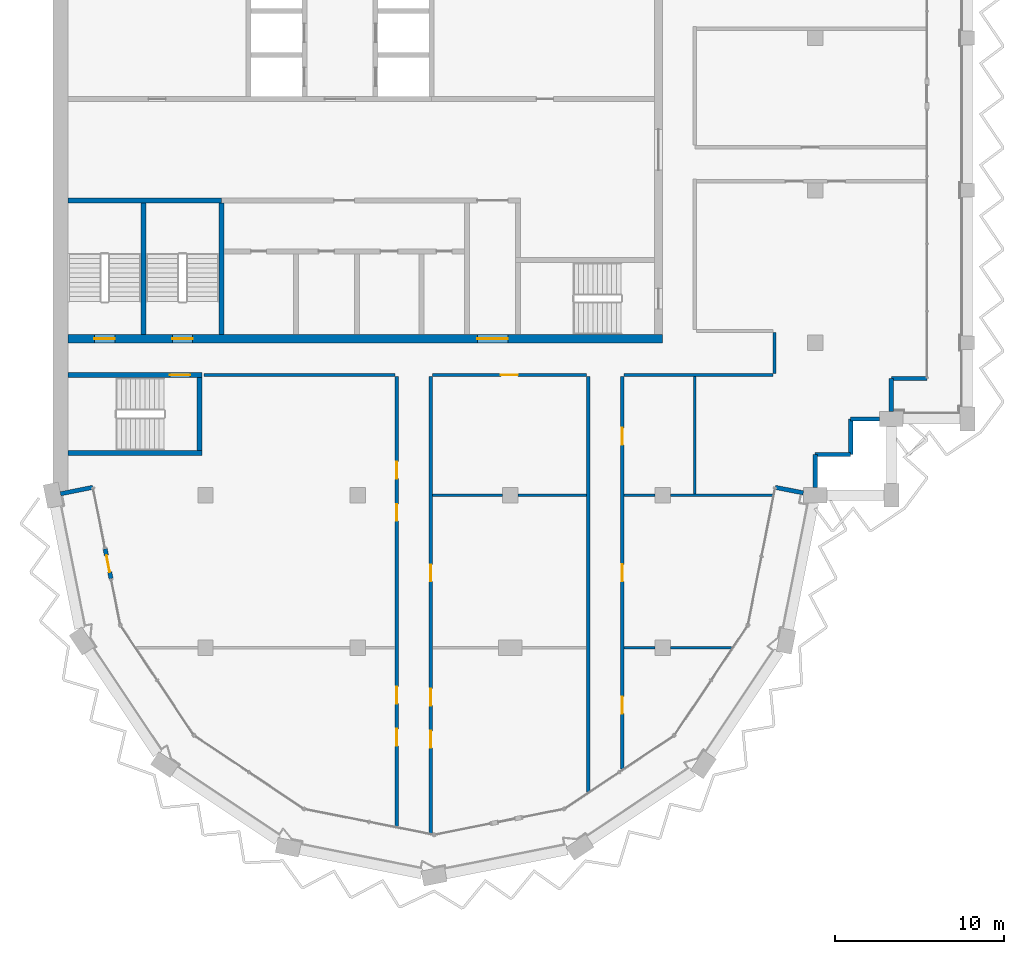
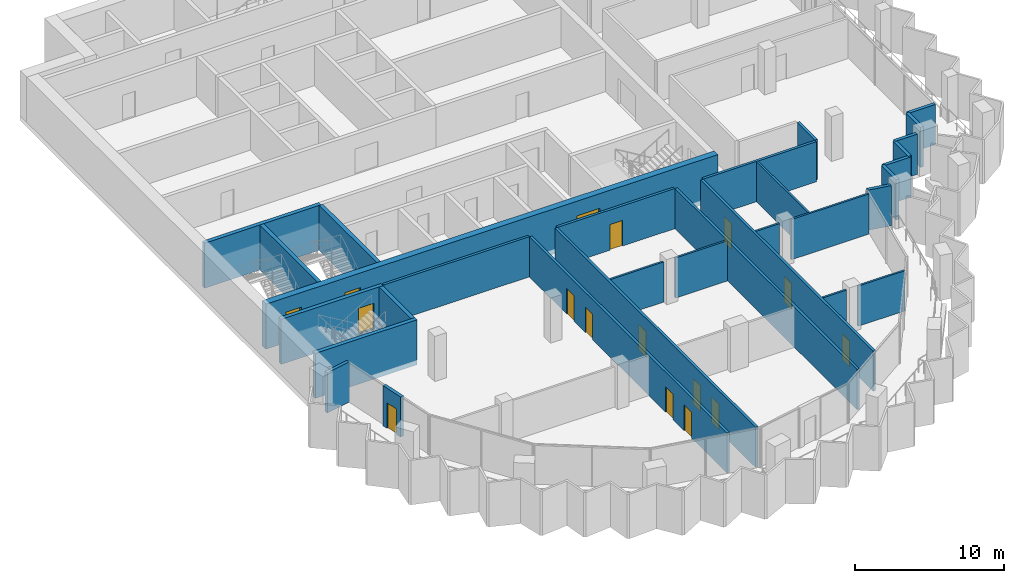
# One storey, part 7 of 14: 31 walls, 16 doors, 16 openings.
"""IFC4 building model written with IfcOpenShell, lengths in metres."""

from ifc_helpers import new_model, si_unit, direction, frame, frame_2d, origin, place, context, subcontext, project, spatial, rectangle, extrude, material, layer, layer_set, type_object, element, fill, save


model = new_model("IFC4")

# Units and contexts
model_context = context("Model", 3, precision=1e-05, world=origin(), true_north=direction((0.0, 1.0)))
body_context = subcontext(model_context, "Body", "Model", "MODEL_VIEW")
ifc_project = project(units=[si_unit("LENGTHUNIT", "METRE"), si_unit("AREAUNIT", "SQUARE_METRE"), si_unit("VOLUMEUNIT", "CUBIC_METRE"), si_unit("PLANEANGLEUNIT", "RADIAN"), si_unit("MASSUNIT", "GRAM", prefix="KILO")], contexts=[model_context])

# Site, building, storey
site_placement = place(None, origin())
site = spatial("IfcSite", under=ifc_project, at=site_placement, CompositionType="ELEMENT")
building_placement = place(site_placement, origin())
building = spatial("IfcBuilding", under=site, at=building_placement, Name="Hunhe Ridgeline Campus", CompositionType="ELEMENT")
storey_placement = place(building_placement, frame((0.0, 0.0, 288.199951171875)))
storey = spatial("IfcBuildingStorey", under=building, at=storey_placement, Name="L74", CompositionType="ELEMENT", Elevation=288.199951171875)

# Wall, openings, doors
ifc_material_1 = material(Name="Concrete C50", Category="concrete")
ifc_layer_1 = layer(ifc_material_1, 0.5)
ifc_layer_set_1 = layer_set([ifc_layer_1], Name="Core wall 500 reinforced concrete C50")
wall_type_1 = type_object("IfcWallType", Name="Core wall 500 reinforced concrete C50", PredefinedType="SOLIDWALL", material=ifc_layer_set_1)
wall_1_placement = place(storey_placement, frame((0.89990234375, 63.25, -0.39990234375), z_axis=(0.0, 0.0, 1.0), x_axis=(1.0, 0.0, 0.0)))
wall_1 = element("IfcWall", 1, at=wall_1_placement, inside=storey, type_object=wall_type_1, Name="L74 core wall 3", PredefinedType="SOLIDWALL", context=body_context, shape_type="SweptSolid", body=[
    extrude(rectangle(XDim=35.10009765625, YDim=0.5, at=frame_2d((17.550048828125, 0.0))), origin(), (0.0, 0.0, 1.0), 3.699951171875),
])
opening_1_placement = place(wall_1_placement, frame((24.14990234375, 0.0, 0.39990234375)))
opening_1 = element("IfcOpeningElement", 2, at=opening_1_placement, cuts=wall_1, Name="Opening CD6", PredefinedType="OPENING", context=body_context, shape_type="SweptSolid", body=[
    extrude(rectangle(XDim=1.800048828125, YDim=2.10009765625, at=frame_2d((0.89990234375, 1.050048828125))), frame((0.0, 0.25, 0.0), z_axis=(0.0, -1.0, 0.0), x_axis=(1.0, 0.0, 0.0)), (0.0, 0.0, 1.0), 0.5),
])
opening_2_placement = place(wall_1_placement, frame((1.550048828125, 0.0, 0.39990234375)))
opening_2 = element("IfcOpeningElement", 3, at=opening_2_placement, cuts=wall_1, Name="Opening CD13", PredefinedType="OPENING", context=body_context, shape_type="SweptSolid", body=[
    extrude(rectangle(XDim=1.199951171875, YDim=2.10009765625, at=frame_2d((0.60009765625, 1.050048828125))), frame((0.0, 0.25, 0.0), z_axis=(0.0, -1.0, 0.0), x_axis=(1.0, 0.0, 0.0)), (0.0, 0.0, 1.0), 0.5),
])
opening_3_placement = place(wall_1_placement, frame((6.14990234375, 0.0, 0.39990234375)))
opening_3 = element("IfcOpeningElement", 4, at=opening_3_placement, cuts=wall_1, Name="Opening CD14", PredefinedType="OPENING", context=body_context, shape_type="SweptSolid", body=[
    extrude(rectangle(XDim=1.199951171875, YDim=2.10009765625, at=frame_2d((0.60009765625, 1.050048828125))), frame((0.0, 0.25, 0.0), z_axis=(0.0, -1.0, 0.0), x_axis=(1.0, 0.0, 0.0)), (0.0, 0.0, 1.0), 0.5),
])
ifc_material_2 = material(Name="Anodised aluminium and glass", Category="aluminium")
door_type_1 = type_object("IfcDoorType", Name="Glazed double door 1800x2100", OperationType="DOUBLE_DOOR_SINGLE_SWING", PredefinedType="DOOR", material=ifc_material_2)
door_1_placement = place(opening_1_placement, frame((1.800048828125, 0.0, 0.0), z_axis=(0.0, 0.0, 1.0), x_axis=(-1.0, 0.0, 0.0)))
door_1 = element("IfcDoor", 5, at=door_1_placement, inside=storey, type_object=door_type_1, Name="L74 door VEST-FLOOR", OperationType="DOUBLE_DOOR_SINGLE_SWING", OverallHeight=2.10009765625, OverallWidth=1.800048828125, PredefinedType="DOOR", context=body_context, shape_type="SweptSolid", body=[
    extrude(rectangle(XDim=1.800048828125, YDim=2.10009765625, at=frame_2d((0.89990234375, 1.050048828125))), frame((0.0, 0.02490234375, 0.0), z_axis=(0.0, -1.0, 0.0), x_axis=(1.0, 0.0, 0.0)), (0.0, 0.0, 1.0), 0.050048828125),
])
fill(opening_1, door_1)
ifc_material_3 = material(Name="Hollow metal fire door leaf")
door_type_2 = type_object("IfcDoorType", Name="Stair door 1200x2100 FD60", OperationType="SINGLE_SWING_LEFT", PredefinedType="DOOR", material=ifc_material_3)
door_2_placement = place(opening_2_placement, frame((1.199951171875, 0.0, 0.0), z_axis=(0.0, 0.0, 1.0), x_axis=(-1.0, 0.0, 0.0)))
door_2 = element("IfcDoor", 6, at=door_2_placement, inside=storey, type_object=door_type_2, Name="L74 door S3", OperationType="SINGLE_SWING_LEFT", OverallHeight=2.10009765625, OverallWidth=1.199951171875, PredefinedType="DOOR", context=body_context, shape_type="SweptSolid", body=[
    extrude(rectangle(XDim=1.199951171875, YDim=2.10009765625, at=frame_2d((0.60009765625, 1.050048828125))), frame((0.0, 0.02490234375, 0.0), z_axis=(0.0, -1.0, 0.0), x_axis=(1.0, 0.0, 0.0)), (0.0, 0.0, 1.0), 0.050048828125),
])
fill(opening_2, door_2)
door_3_placement = place(opening_3_placement, frame((1.199951171875, 0.0, 0.0), z_axis=(0.0, 0.0, 1.0), x_axis=(-1.0, 0.0, 0.0)))
door_3 = element("IfcDoor", 7, at=door_3_placement, inside=storey, type_object=door_type_2, Name="L74 door S4", OperationType="SINGLE_SWING_RIGHT", OverallHeight=2.10009765625, OverallWidth=1.199951171875, PredefinedType="DOOR", context=body_context, shape_type="SweptSolid", body=[
    extrude(rectangle(XDim=1.199951171875, YDim=2.10009765625, at=frame_2d((0.60009765625, 1.050048828125))), frame((0.0, 0.02490234375, 0.0), z_axis=(0.0, -1.0, 0.0), x_axis=(1.0, 0.0, 0.0)), (0.0, 0.0, 1.0), 0.050048828125),
])
fill(opening_3, door_3)

# Walls
ifc_material_4 = material(Name="Concrete C30", Category="concrete")
ifc_layer_2 = layer(ifc_material_4, 0.25)
ifc_layer_set_2 = layer_set([ifc_layer_2], Name="Corner return wall 250 Concrete C30")
wall_type_2 = type_object("IfcWallType", Name="Corner return wall 250 Concrete C30", PredefinedType="SOLIDWALL", material=ifc_layer_set_2)
wall_2_placement = place(storey_placement, frame((0.441162109375, 54.088623046875, 0.0), z_axis=(0.0, 0.0, 1.0), x_axis=(0.980834936053, 0.194840519958, 0.0)))
element("IfcWall", 8, at=wall_2_placement, inside=storey, type_object=wall_type_2, Name="Corner return wall 1", PredefinedType="SOLIDWALL", context=body_context, shape_type="SweptSolid", body=[
    extrude(rectangle(XDim=1.950927734375, YDim=0.25, at=frame_2d((0.9755859375, 0.0))), origin(), (0.0, 0.0, 1.0), 3.300048828125),
])
wall_3_placement = place(storey_placement, frame((42.645263671875, 54.46875, 0.0), z_axis=(0.0, 0.0, 1.0), x_axis=(0.980846923473, -0.194780165092, 0.0)))
element("IfcWall", 9, at=wall_3_placement, inside=storey, type_object=wall_type_2, Name="Corner return wall 2", PredefinedType="SOLIDWALL", context=body_context, shape_type="SweptSolid", body=[
    extrude(rectangle(XDim=1.68701171875, YDim=0.25, at=frame_2d((0.843505859375, 0.0))), origin(), (0.0, 0.0, 1.0), 3.300048828125),
])
wall_4_placement = place(storey_placement, frame((44.9990234375, 54.449951171875, 0.0), z_axis=(0.0, 0.0, 1.0), x_axis=(0.000125156445, 0.999999992168, 0.0)))
element("IfcWall", 10, at=wall_4_placement, inside=storey, type_object=wall_type_2, Name="Corner return wall 3", PredefinedType="SOLIDWALL", context=body_context, shape_type="SweptSolid", body=[
    extrude(rectangle(XDim=1.95068359375, YDim=0.25, at=frame_2d((0.975341796875, 0.0))), origin(), (0.0, 0.0, 1.0), 3.300048828125),
])
wall_5_placement = place(storey_placement, frame((44.999267578125, 56.400634765625, 0.0), z_axis=(0.0, 0.0, 1.0), x_axis=(0.999999993241, 0.00011626555, 0.0)))
element("IfcWall", 11, at=wall_5_placement, inside=storey, type_object=wall_type_2, Name="Corner return wall 4", PredefinedType="SOLIDWALL", context=body_context, shape_type="SweptSolid", body=[
    extrude(rectangle(XDim=2.099853515625, YDim=0.25, at=frame_2d((1.0498046875, 0.0))), origin(), (0.0, 0.0, 1.0), 3.300048828125),
])
wall_6_placement = place(storey_placement, frame((47.09912109375, 56.40087890625, 0.0), z_axis=(0.0, 0.0, 1.0), x_axis=(0.000232504063, 0.999999972971, 0.0)))
element("IfcWall", 12, at=wall_6_placement, inside=storey, type_object=wall_type_2, Name="Corner return wall 5", PredefinedType="SOLIDWALL", context=body_context, shape_type="SweptSolid", body=[
    extrude(rectangle(XDim=2.10009765625, YDim=0.25, at=frame_2d((1.050048828125, 0.0))), origin(), (0.0, 0.0, 1.0), 3.300048828125),
])
wall_7_placement = place(storey_placement, frame((47.099609375, 58.5009765625, 0.0), z_axis=(0.0, 0.0, 1.0), x_axis=(1.0, 0.0, 0.0)))
element("IfcWall", 13, at=wall_7_placement, inside=storey, type_object=wall_type_2, Name="Corner return wall 6", PredefinedType="SOLIDWALL", context=body_context, shape_type="SweptSolid", body=[
    extrude(rectangle(XDim=1.700439453125, YDim=0.25, at=frame_2d((0.85009765625, 0.0))), origin(), (0.0, 0.0, 1.0), 3.300048828125),
])
wall_8_placement = place(storey_placement, frame((49.4990234375, 58.949951171875, 0.0), z_axis=(0.0, 0.0, 1.0), x_axis=(0.000250281559, 0.99999996868, 0.0)))
element("IfcWall", 14, at=wall_8_placement, inside=storey, type_object=wall_type_2, Name="Corner return wall 7", PredefinedType="SOLIDWALL", context=body_context, shape_type="SweptSolid", body=[
    extrude(rectangle(XDim=1.950927734375, YDim=0.25, at=frame_2d((0.9755859375, 0.0))), origin(), (0.0, 0.0, 1.0), 3.300048828125),
])
wall_9_placement = place(storey_placement, frame((49.49951171875, 60.90087890625, 0.0), z_axis=(0.0, 0.0, 1.0), x_axis=(1.0, 0.0, 0.0)))
element("IfcWall", 15, at=wall_9_placement, inside=storey, type_object=wall_type_2, Name="Corner return wall 8", PredefinedType="SOLIDWALL", context=body_context, shape_type="SweptSolid", body=[
    extrude(rectangle(XDim=2.099609375, YDim=0.25, at=frame_2d((1.0498046875, 0.0))), origin(), (0.0, 0.0, 1.0), 3.300048828125),
])
ifc_material_5 = material(Name="Gypsum board partition")
ifc_layer_3 = layer(ifc_material_5, 0.199951171875)
ifc_layer_set_3 = layer_set([ifc_layer_3], Name="Corridor partition 200 gypsum board on steel studs")
wall_type_3 = type_object("IfcWallType", Name="Corridor partition 200 gypsum board on steel studs", PredefinedType="PARTITIONING", material=ifc_layer_set_3)
wall_10_placement = place(storey_placement, frame((20.199951171875, 61.10009765625, 0.0), z_axis=(0.0, 0.0, 1.0), x_axis=(-1.0, 0.0, 0.0)))
element("IfcWall", 16, at=wall_10_placement, inside=storey, type_object=wall_type_3, Name="F-L74-wall-012", PredefinedType="PARTITIONING", context=body_context, shape_type="SweptSolid", body=[
    extrude(rectangle(XDim=11.2958984375, YDim=0.199951171875, at=frame_2d((5.64794921875, 0.0))), origin(), (0.0, 0.0, 1.0), 3.300048828125),
])

# Wall, opening, door
wall_11_placement = place(storey_placement, frame((31.5, 61.10009765625, 0.0), z_axis=(0.0, 0.0, 1.0), x_axis=(-1.0, 0.0, 0.0)))
wall_11 = element("IfcWall", 17, at=wall_11_placement, inside=storey, type_object=wall_type_3, Name="F-L74-wall-013", PredefinedType="PARTITIONING", context=body_context, shape_type="SweptSolid", body=[
    extrude(rectangle(XDim=9.10009765625, YDim=0.199951171875, at=frame_2d((4.550048828125, 0.0))), origin(), (0.0, 0.0, 1.0), 3.300048828125),
])
opening_4_placement = place(wall_11_placement, frame((4.050048828125, 0.0, 0.0)))
opening_4 = element("IfcOpeningElement", 18, at=opening_4_placement, cuts=wall_11, Name="Opening RD1-011", PredefinedType="OPENING", context=body_context, shape_type="SweptSolid", body=[
    extrude(rectangle(XDim=1.0, YDim=2.10009765625, at=frame_2d((0.5, 1.050048828125))), frame((0.0, 0.10009765625, 0.0), z_axis=(0.0, -1.0, 0.0), x_axis=(1.0, 0.0, 0.0)), (0.0, 0.0, 1.0), 0.199951171875),
])
ifc_material_6 = material(Name="Timber door leaf", Category="wood")
door_type_3 = type_object("IfcDoorType", Name="Single fire door 1000x2100 timber FD60", OperationType="NOTDEFINED", PredefinedType="DOOR", material=ifc_material_6)
door_4_placement = place(opening_4_placement, origin())
door_4 = element("IfcDoor", 19, at=door_4_placement, inside=storey, type_object=door_type_3, Name="F-L74-door-011", OperationType="SINGLE_SWING_LEFT", OverallHeight=2.10009765625, OverallWidth=1.0, PredefinedType="DOOR", context=body_context, shape_type="SweptSolid", body=[
    extrude(rectangle(XDim=1.0, YDim=2.10009765625, at=frame_2d((0.5, 1.050048828125))), frame((0.0, 0.02490234375, 0.0), z_axis=(0.0, -1.0, 0.0), x_axis=(1.0, 0.0, 0.0)), (0.0, 0.0, 1.0), 0.050048828125),
])
fill(opening_4, door_4)

# Wall
wall_12_placement = place(storey_placement, frame((42.5, 61.10009765625, 0.0), z_axis=(0.0, 0.0, 1.0), x_axis=(-1.0, 0.0, 0.0)))
element("IfcWall", 20, at=wall_12_placement, inside=storey, type_object=wall_type_3, Name="F-L74-wall-014", PredefinedType="PARTITIONING", context=body_context, shape_type="SweptSolid", body=[
    extrude(rectangle(XDim=8.800048828125, YDim=0.199951171875, at=frame_2d((4.39990234375, 0.0))), origin(), (0.0, 0.0, 1.0), 3.300048828125),
])

# Wall, openings, doors
wall_13_placement = place(storey_placement, frame((20.300048828125, 34.440673828125, 0.0), z_axis=(0.0, 0.0, 1.0), x_axis=(0.0, 1.0, 0.0)))
wall_13 = element("IfcWall", 21, at=wall_13_placement, inside=storey, type_object=wall_type_3, Name="F-L74-wall-021", PredefinedType="PARTITIONING", context=body_context, shape_type="SweptSolid", body=[
    extrude(rectangle(XDim=26.559326171875, YDim=0.199951171875, at=frame_2d((13.27978515625, 0.0))), origin(), (0.0, 0.0, 1.0), 3.300048828125),
])
opening_5_placement = place(wall_13_placement, frame((4.76171875, 0.0, 0.0)))
opening_5 = element("IfcOpeningElement", 22, at=opening_5_placement, cuts=wall_13, Name="Opening RD1-002", PredefinedType="OPENING", context=body_context, shape_type="SweptSolid", body=[
    extrude(rectangle(XDim=1.0, YDim=2.10009765625, at=frame_2d((0.5, 1.050048828125))), frame((0.0, 0.10009765625, 0.0), z_axis=(0.0, -1.0, 0.0), x_axis=(1.0, 0.0, 0.0)), (0.0, 0.0, 1.0), 0.199951171875),
])
opening_6_placement = place(wall_13_placement, frame((7.26171875, 0.0, 0.0)))
opening_6 = element("IfcOpeningElement", 23, at=opening_6_placement, cuts=wall_13, Name="Opening RD1-005", PredefinedType="OPENING", context=body_context, shape_type="SweptSolid", body=[
    extrude(rectangle(XDim=1.0, YDim=2.10009765625, at=frame_2d((0.5, 1.050048828125))), frame((0.0, 0.10009765625, 0.0), z_axis=(0.0, -1.0, 0.0), x_axis=(1.0, 0.0, 0.0)), (0.0, 0.0, 1.0), 0.199951171875),
])
opening_7_placement = place(wall_13_placement, frame((18.04150390625, 0.0, 0.0)))
opening_7 = element("IfcOpeningElement", 24, at=opening_7_placement, cuts=wall_13, Name="Opening RD1-008", PredefinedType="OPENING", context=body_context, shape_type="SweptSolid", body=[
    extrude(rectangle(XDim=1.0, YDim=2.10009765625, at=frame_2d((0.5, 1.050048828125))), frame((0.0, 0.10009765625, 0.0), z_axis=(0.0, -1.0, 0.0), x_axis=(1.0, 0.0, 0.0)), (0.0, 0.0, 1.0), 0.199951171875),
])
opening_8_placement = place(wall_13_placement, frame((20.54150390625, 0.0, 0.0)))
opening_8 = element("IfcOpeningElement", 25, at=opening_8_placement, cuts=wall_13, Name="Opening RD1-009", PredefinedType="OPENING", context=body_context, shape_type="SweptSolid", body=[
    extrude(rectangle(XDim=1.0, YDim=2.10009765625, at=frame_2d((0.5, 1.050048828125))), frame((0.0, 0.10009765625, 0.0), z_axis=(0.0, -1.0, 0.0), x_axis=(1.0, 0.0, 0.0)), (0.0, 0.0, 1.0), 0.199951171875),
])
door_5_placement = place(opening_5_placement, frame((1.0, 0.0, 0.0), z_axis=(0.0, 0.0, 1.0), x_axis=(-1.0, 0.0, 0.0)))
door_5 = element("IfcDoor", 26, at=door_5_placement, inside=storey, type_object=door_type_3, Name="F-L74-door-002", OperationType="SINGLE_SWING_RIGHT", OverallHeight=2.10009765625, OverallWidth=1.0, PredefinedType="DOOR", context=body_context, shape_type="SweptSolid", body=[
    extrude(rectangle(XDim=1.0, YDim=2.10009765625, at=frame_2d((0.5, 1.050048828125))), frame((0.0, 0.02490234375, 0.0), z_axis=(0.0, -1.0, 0.0), x_axis=(1.0, 0.0, 0.0)), (0.0, 0.0, 1.0), 0.050048828125),
])
fill(opening_5, door_5)
door_6_placement = place(opening_6_placement, frame((1.0, 0.0, 0.0), z_axis=(0.0, 0.0, 1.0), x_axis=(-1.0, 0.0, 0.0)))
door_6 = element("IfcDoor", 27, at=door_6_placement, inside=storey, type_object=door_type_3, Name="F-L74-door-005", OperationType="SINGLE_SWING_LEFT", OverallHeight=2.10009765625, OverallWidth=1.0, PredefinedType="DOOR", context=body_context, shape_type="SweptSolid", body=[
    extrude(rectangle(XDim=1.0, YDim=2.10009765625, at=frame_2d((0.5, 1.050048828125))), frame((0.0, 0.02490234375, 0.0), z_axis=(0.0, -1.0, 0.0), x_axis=(1.0, 0.0, 0.0)), (0.0, 0.0, 1.0), 0.050048828125),
])
fill(opening_6, door_6)
door_7_placement = place(opening_7_placement, frame((1.0, 0.0, 0.0), z_axis=(0.0, 0.0, 1.0), x_axis=(-1.0, 0.0, 0.0)))
door_7 = element("IfcDoor", 28, at=door_7_placement, inside=storey, type_object=door_type_3, Name="F-L74-door-008", OperationType="SINGLE_SWING_LEFT", OverallHeight=2.10009765625, OverallWidth=1.0, PredefinedType="DOOR", context=body_context, shape_type="SweptSolid", body=[
    extrude(rectangle(XDim=1.0, YDim=2.10009765625, at=frame_2d((0.5, 1.050048828125))), frame((0.0, 0.02490234375, 0.0), z_axis=(0.0, -1.0, 0.0), x_axis=(1.0, 0.0, 0.0)), (0.0, 0.0, 1.0), 0.050048828125),
])
fill(opening_7, door_7)
door_8_placement = place(opening_8_placement, frame((1.0, 0.0, 0.0), z_axis=(0.0, 0.0, 1.0), x_axis=(-1.0, 0.0, 0.0)))
door_8 = element("IfcDoor", 29, at=door_8_placement, inside=storey, type_object=door_type_3, Name="F-L74-door-009", OperationType="SINGLE_SWING_LEFT", OverallHeight=2.10009765625, OverallWidth=1.0, PredefinedType="DOOR", context=body_context, shape_type="SweptSolid", body=[
    extrude(rectangle(XDim=1.0, YDim=2.10009765625, at=frame_2d((0.5, 1.050048828125))), frame((0.0, 0.02490234375, 0.0), z_axis=(0.0, -1.0, 0.0), x_axis=(1.0, 0.0, 0.0)), (0.0, 0.0, 1.0), 0.050048828125),
])
fill(opening_8, door_8)

wall_14_placement = place(storey_placement, frame((22.300048828125, 61.0, 0.0), z_axis=(0.0, 0.0, 1.0), x_axis=(0.0, -1.0, 0.0)))
wall_14 = element("IfcWall", 30, at=wall_14_placement, inside=storey, type_object=wall_type_3, Name="F-L74-wall-022", PredefinedType="PARTITIONING", context=body_context, shape_type="SweptSolid", body=[
    extrude(rectangle(XDim=26.95703125, YDim=0.199951171875, at=frame_2d((13.478515625, 0.0))), origin(), (0.0, 0.0, 1.0), 3.300048828125),
])
opening_9_placement = place(wall_14_placement, frame((20.91455078125, 0.0, 0.0)))
opening_9 = element("IfcOpeningElement", 31, at=opening_9_placement, cuts=wall_14, Name="Opening RD1-001", PredefinedType="OPENING", context=body_context, shape_type="SweptSolid", body=[
    extrude(rectangle(XDim=1.0, YDim=2.10009765625, at=frame_2d((0.5, 1.050048828125))), frame((0.0, 0.10009765625, 0.0), z_axis=(0.0, -1.0, 0.0), x_axis=(1.0, 0.0, 0.0)), (0.0, 0.0, 1.0), 0.199951171875),
])
opening_10_placement = place(wall_14_placement, frame((18.41455078125, 0.0, 0.0)))
opening_10 = element("IfcOpeningElement", 32, at=opening_10_placement, cuts=wall_14, Name="Opening RD1-004", PredefinedType="OPENING", context=body_context, shape_type="SweptSolid", body=[
    extrude(rectangle(XDim=1.0, YDim=2.10009765625, at=frame_2d((0.5, 1.050048828125))), frame((0.0, 0.10009765625, 0.0), z_axis=(0.0, -1.0, 0.0), x_axis=(1.0, 0.0, 0.0)), (0.0, 0.0, 1.0), 0.199951171875),
])
opening_11_placement = place(wall_14_placement, frame((11.089111328125, 0.0, 0.0)))
opening_11 = element("IfcOpeningElement", 33, at=opening_11_placement, cuts=wall_14, Name="Opening RD1-006", PredefinedType="OPENING", context=body_context, shape_type="SweptSolid", body=[
    extrude(rectangle(XDim=1.0, YDim=2.10009765625, at=frame_2d((0.5, 1.050048828125))), frame((0.0, 0.10009765625, 0.0), z_axis=(0.0, -1.0, 0.0), x_axis=(1.0, 0.0, 0.0)), (0.0, 0.0, 1.0), 0.199951171875),
])
door_9_placement = place(opening_9_placement, frame((1.0, 0.0, 0.0), z_axis=(0.0, 0.0, 1.0), x_axis=(-1.0, 0.0, 0.0)))
door_9 = element("IfcDoor", 34, at=door_9_placement, inside=storey, type_object=door_type_3, Name="F-L74-door-001", OperationType="SINGLE_SWING_RIGHT", OverallHeight=2.10009765625, OverallWidth=1.0, PredefinedType="DOOR", context=body_context, shape_type="SweptSolid", body=[
    extrude(rectangle(XDim=1.0, YDim=2.10009765625, at=frame_2d((0.5, 1.050048828125))), frame((0.0, 0.02490234375, 0.0), z_axis=(0.0, -1.0, 0.0), x_axis=(1.0, 0.0, 0.0)), (0.0, 0.0, 1.0), 0.050048828125),
])
fill(opening_9, door_9)
door_10_placement = place(opening_10_placement, frame((1.0, 0.0, 0.0), z_axis=(0.0, 0.0, 1.0), x_axis=(-1.0, 0.0, 0.0)))
door_10 = element("IfcDoor", 35, at=door_10_placement, inside=storey, type_object=door_type_3, Name="F-L74-door-004", OperationType="SINGLE_SWING_RIGHT", OverallHeight=2.10009765625, OverallWidth=1.0, PredefinedType="DOOR", context=body_context, shape_type="SweptSolid", body=[
    extrude(rectangle(XDim=1.0, YDim=2.10009765625, at=frame_2d((0.5, 1.050048828125))), frame((0.0, 0.02490234375, 0.0), z_axis=(0.0, -1.0, 0.0), x_axis=(1.0, 0.0, 0.0)), (0.0, 0.0, 1.0), 0.050048828125),
])
fill(opening_10, door_10)
door_11_placement = place(opening_11_placement, origin())
door_11 = element("IfcDoor", 36, at=door_11_placement, inside=storey, type_object=door_type_3, Name="F-L74-door-006", OperationType="SINGLE_SWING_RIGHT", OverallHeight=2.10009765625, OverallWidth=1.0, PredefinedType="DOOR", context=body_context, shape_type="SweptSolid", body=[
    extrude(rectangle(XDim=1.0, YDim=2.10009765625, at=frame_2d((0.5, 1.050048828125))), frame((0.0, 0.02490234375, 0.0), z_axis=(0.0, -1.0, 0.0), x_axis=(1.0, 0.0, 0.0)), (0.0, 0.0, 1.0), 0.050048828125),
])
fill(opening_11, door_11)

# Wall
wall_15_placement = place(storey_placement, frame((31.60009765625, 36.492431640625, 0.0), z_axis=(0.0, 0.0, 1.0), x_axis=(0.0, 1.0, 0.0)))
element("IfcWall", 37, at=wall_15_placement, inside=storey, type_object=wall_type_3, Name="F-L74-wall-023", PredefinedType="PARTITIONING", context=body_context, shape_type="SweptSolid", body=[
    extrude(rectangle(XDim=24.507568359375, YDim=0.199951171875, at=frame_2d((12.25390625, 0.0))), origin(), (0.0, 0.0, 1.0), 3.300048828125),
])

# Wall, openings, doors
wall_16_placement = place(storey_placement, frame((33.60009765625, 61.0, 0.0), z_axis=(0.0, 0.0, 1.0), x_axis=(0.0, -1.0, 0.0)))
wall_16 = element("IfcWall", 38, at=wall_16_placement, inside=storey, type_object=wall_type_3, Name="F-L74-wall-024", PredefinedType="PARTITIONING", context=body_context, shape_type="SweptSolid", body=[
    extrude(rectangle(XDim=23.171142578125, YDim=0.199951171875, at=frame_2d((11.58544921875, 0.0))), origin(), (0.0, 0.0, 1.0), 3.300048828125),
])
opening_12_placement = place(wall_16_placement, frame((18.893310546875, 0.0, 0.0)))
opening_12 = element("IfcOpeningElement", 39, at=opening_12_placement, cuts=wall_16, Name="Opening RD1-003", PredefinedType="OPENING", context=body_context, shape_type="SweptSolid", body=[
    extrude(rectangle(XDim=1.0, YDim=2.10009765625, at=frame_2d((0.5, 1.050048828125))), frame((0.0, 0.10009765625, 0.0), z_axis=(0.0, -1.0, 0.0), x_axis=(1.0, 0.0, 0.0)), (0.0, 0.0, 1.0), 0.199951171875),
])
opening_13_placement = place(wall_16_placement, frame((11.085693359375, 0.0, 0.0)))
opening_13 = element("IfcOpeningElement", 40, at=opening_13_placement, cuts=wall_16, Name="Opening RD1-007", PredefinedType="OPENING", context=body_context, shape_type="SweptSolid", body=[
    extrude(rectangle(XDim=1.0, YDim=2.10009765625, at=frame_2d((0.5, 1.050048828125))), frame((0.0, 0.10009765625, 0.0), z_axis=(0.0, -1.0, 0.0), x_axis=(1.0, 0.0, 0.0)), (0.0, 0.0, 1.0), 0.199951171875),
])
opening_14_placement = place(wall_16_placement, frame((3.02587890625, 0.0, 0.0)))
opening_14 = element("IfcOpeningElement", 41, at=opening_14_placement, cuts=wall_16, Name="Opening RD1-010", PredefinedType="OPENING", context=body_context, shape_type="SweptSolid", body=[
    extrude(rectangle(XDim=1.0, YDim=2.10009765625, at=frame_2d((0.5, 1.050048828125))), frame((0.0, 0.10009765625, 0.0), z_axis=(0.0, -1.0, 0.0), x_axis=(1.0, 0.0, 0.0)), (0.0, 0.0, 1.0), 0.199951171875),
])
door_12_placement = place(opening_12_placement, origin())
door_12 = element("IfcDoor", 42, at=door_12_placement, inside=storey, type_object=door_type_3, Name="F-L74-door-003", OperationType="SINGLE_SWING_LEFT", OverallHeight=2.10009765625, OverallWidth=1.0, PredefinedType="DOOR", context=body_context, shape_type="SweptSolid", body=[
    extrude(rectangle(XDim=1.0, YDim=2.10009765625, at=frame_2d((0.5, 1.050048828125))), frame((0.0, 0.02490234375, 0.0), z_axis=(0.0, -1.0, 0.0), x_axis=(1.0, 0.0, 0.0)), (0.0, 0.0, 1.0), 0.050048828125),
])
fill(opening_12, door_12)
door_13_placement = place(opening_13_placement, origin())
door_13 = element("IfcDoor", 43, at=door_13_placement, inside=storey, type_object=door_type_3, Name="F-L74-door-007", OperationType="SINGLE_SWING_LEFT", OverallHeight=2.10009765625, OverallWidth=1.0, PredefinedType="DOOR", context=body_context, shape_type="SweptSolid", body=[
    extrude(rectangle(XDim=1.0, YDim=2.10009765625, at=frame_2d((0.5, 1.050048828125))), frame((0.0, 0.02490234375, 0.0), z_axis=(0.0, -1.0, 0.0), x_axis=(1.0, 0.0, 0.0)), (0.0, 0.0, 1.0), 0.050048828125),
])
fill(opening_13, door_13)
door_14_placement = place(opening_14_placement, origin())
door_14 = element("IfcDoor", 44, at=door_14_placement, inside=storey, type_object=door_type_3, Name="F-L74-door-010", OperationType="SINGLE_SWING_LEFT", OverallHeight=2.10009765625, OverallWidth=1.0, PredefinedType="DOOR", context=body_context, shape_type="SweptSolid", body=[
    extrude(rectangle(XDim=1.0, YDim=2.10009765625, at=frame_2d((0.5, 1.050048828125))), frame((0.0, 0.02490234375, 0.0), z_axis=(0.0, -1.0, 0.0), x_axis=(1.0, 0.0, 0.0)), (0.0, 0.0, 1.0), 0.050048828125),
])
fill(opening_14, door_14)

# Wall
wall_17_placement = place(storey_placement, frame((42.60009765625, 63.60009765625, 0.0), z_axis=(0.0, 0.0, 1.0), x_axis=(0.0, -1.0, 0.0)))
element("IfcWall", 45, at=wall_17_placement, inside=storey, type_object=wall_type_3, Name="F-L74-wall-030", PredefinedType="PARTITIONING", context=body_context, shape_type="SweptSolid", body=[
    extrude(rectangle(XDim=2.400146484375, YDim=0.199951171875, at=frame_2d((1.2001953125, 0.0))), origin(), (0.0, 0.0, 1.0), 3.300048828125),
])

# Wall, opening, door
ifc_layer_4 = layer(ifc_material_4, 0.25)
ifc_layer_set_4 = layer_set([ifc_layer_4], Name="Loggia door pier wall 250 Concrete C30")
wall_type_4 = type_object("IfcWallType", Name="Loggia door pier wall 250 Concrete C30", PredefinedType="SOLIDWALL", material=ifc_layer_set_4)
wall_18_placement = place(storey_placement, frame((3.076904296875, 50.8388671875, 0.0), z_axis=(0.0, 0.0, 1.0), x_axis=(0.195046569833, -0.980793982239, 0.0)))
wall_18 = element("IfcWall", 46, at=wall_18_placement, inside=storey, type_object=wall_type_4, Name="Loggia door pier 1", PredefinedType="SOLIDWALL", context=body_context, shape_type="SweptSolid", body=[
    extrude(rectangle(XDim=1.800048828125, YDim=0.25, at=frame_2d((0.89990234375, 0.0))), origin(), (0.0, 0.0, 1.0), 3.300048828125),
])
opening_15_placement = place(wall_18_placement, frame((0.39990234375, 0.0, 0.0)))
opening_15 = element("IfcOpeningElement", 47, at=opening_15_placement, cuts=wall_18, Name="Opening BD601", PredefinedType="OPENING", context=body_context, shape_type="SweptSolid", body=[
    extrude(rectangle(XDim=1.0, YDim=2.10009765625, at=frame_2d((0.5, 1.050048828125))), frame((0.0, 0.125, 0.0), z_axis=(0.0, -1.0, 0.0), x_axis=(1.0, 0.0, 0.0)), (0.0, 0.0, 1.0), 0.25),
])
ifc_material_7 = material(Name="Aluminium 6063", Category="aluminium")
door_type_4 = type_object("IfcDoorType", Name="Loggia glazed door 1000x2100", OperationType="NOTDEFINED", PredefinedType="DOOR", material=ifc_material_7)
door_15_placement = place(opening_15_placement, frame((1.0, 0.0, 0.0), z_axis=(0.0, 0.0, 1.0), x_axis=(-1.0, 0.0, 0.0)))
door_15 = element("IfcDoor", 48, at=door_15_placement, inside=storey, type_object=door_type_4, Name="Loggia door BD601", OperationType="SINGLE_SWING_RIGHT", OverallHeight=2.10009765625, OverallWidth=1.0, PredefinedType="DOOR", context=body_context, shape_type="SweptSolid", body=[
    extrude(rectangle(XDim=1.0, YDim=2.10009765625, at=frame_2d((0.5, 1.050048828125))), frame((0.0, 0.02490234375, 0.0), z_axis=(0.0, -1.0, 0.0), x_axis=(1.0, 0.0, 0.0)), (0.0, 0.0, 1.0), 0.050048828125),
])
fill(opening_15, door_15)

# Walls
ifc_layer_5 = layer(ifc_material_5, 0.14990234375)
ifc_layer_set_5 = layer_set([ifc_layer_5], Name="Room partition 150 gypsum board on steel studs")
wall_type_5 = type_object("IfcWallType", Name="Room partition 150 gypsum board on steel studs", PredefinedType="PARTITIONING", material=ifc_layer_set_5)
wall_19_placement = place(storey_placement, frame((33.699951171875, 45.0, 0.0), z_axis=(0.0, 0.0, 1.0), x_axis=(1.0, 0.0, 0.0)))
element("IfcWall", 49, at=wall_19_placement, inside=storey, type_object=wall_type_5, Name="F-L74-wall-006", PredefinedType="PARTITIONING", context=body_context, shape_type="SweptSolid", body=[
    extrude(rectangle(XDim=1.85009765625, YDim=0.14990234375, at=frame_2d((0.925048828125, 0.0))), origin(), (0.0, 0.0, 1.0), 3.300048828125),
])
wall_20_placement = place(storey_placement, frame((36.449951171875, 45.0, 0.0), z_axis=(0.0, 0.0, 1.0), x_axis=(1.0, 0.0, 0.0)))
element("IfcWall", 50, at=wall_20_placement, inside=storey, type_object=wall_type_5, Name="F-L74-wall-007", PredefinedType="PARTITIONING", context=body_context, shape_type="SweptSolid", body=[
    extrude(rectangle(XDim=3.62451171875, YDim=0.14990234375, at=frame_2d((1.812255859375, 0.0))), origin(), (0.0, 0.0, 1.0), 3.300048828125),
])
wall_21_placement = place(storey_placement, frame((22.39990234375, 54.0, 0.0), z_axis=(0.0, 0.0, 1.0), x_axis=(1.0, 0.0, 0.0)))
element("IfcWall", 51, at=wall_21_placement, inside=storey, type_object=wall_type_5, Name="F-L74-wall-008", PredefinedType="PARTITIONING", context=body_context, shape_type="SweptSolid", body=[
    extrude(rectangle(XDim=4.150146484375, YDim=0.14990234375, at=frame_2d((2.0751953125, 0.0))), origin(), (0.0, 0.0, 1.0), 3.300048828125),
])
wall_22_placement = place(storey_placement, frame((27.449951171875, 54.0, 0.0), z_axis=(0.0, 0.0, 1.0), x_axis=(1.0, 0.0, 0.0)))
element("IfcWall", 52, at=wall_22_placement, inside=storey, type_object=wall_type_5, Name="F-L74-wall-009", PredefinedType="PARTITIONING", context=body_context, shape_type="SweptSolid", body=[
    extrude(rectangle(XDim=4.050048828125, YDim=0.14990234375, at=frame_2d((2.02490234375, 0.0))), origin(), (0.0, 0.0, 1.0), 3.300048828125),
])
wall_23_placement = place(storey_placement, frame((33.699951171875, 54.0, 0.0), z_axis=(0.0, 0.0, 1.0), x_axis=(1.0, 0.0, 0.0)))
element("IfcWall", 53, at=wall_23_placement, inside=storey, type_object=wall_type_5, Name="F-L74-wall-010", PredefinedType="PARTITIONING", context=body_context, shape_type="SweptSolid", body=[
    extrude(rectangle(XDim=1.85009765625, YDim=0.14990234375, at=frame_2d((0.925048828125, 0.0))), origin(), (0.0, 0.0, 1.0), 3.300048828125),
])
wall_24_placement = place(storey_placement, frame((36.449951171875, 54.0, 0.0), z_axis=(0.0, 0.0, 1.0), x_axis=(1.0, 0.0, 0.0)))
element("IfcWall", 54, at=wall_24_placement, inside=storey, type_object=wall_type_5, Name="F-L74-wall-011", PredefinedType="PARTITIONING", context=body_context, shape_type="SweptSolid", body=[
    extrude(rectangle(XDim=6.047119140625, YDim=0.14990234375, at=frame_2d((3.0234375, 0.0))), origin(), (0.0, 0.0, 1.0), 3.300048828125),
])
wall_25_placement = place(storey_placement, frame((37.89990234375, 61.0, 0.0), z_axis=(0.0, 0.0, 1.0), x_axis=(0.0, -1.0, 0.0)))
element("IfcWall", 55, at=wall_25_placement, inside=storey, type_object=wall_type_5, Name="F-L74-wall-025", PredefinedType="PARTITIONING", context=body_context, shape_type="SweptSolid", body=[
    extrude(rectangle(XDim=6.925048828125, YDim=0.14990234375, at=frame_2d((3.46240234375, 0.0))), origin(), (0.0, 0.0, 1.0), 3.300048828125),
])
ifc_layer_6 = layer(ifc_material_1, 0.300048828125)
ifc_layer_set_6 = layer_set([ifc_layer_6], Name="Stair wall 300 reinforced concrete C50")
wall_type_6 = type_object("IfcWallType", Name="Stair wall 300 reinforced concrete C50", PredefinedType="SOLIDWALL", material=ifc_layer_set_6)
wall_26_placement = place(storey_placement, frame((0.89990234375, 56.5, -0.39990234375), z_axis=(0.0, 0.0, 1.0), x_axis=(1.0, 0.0, 0.0)))
element("IfcWall", 56, at=wall_26_placement, inside=storey, type_object=wall_type_6, Name="L74 core wall 1", PredefinedType="SOLIDWALL", context=body_context, shape_type="SweptSolid", body=[
    extrude(rectangle(XDim=7.900146484375, YDim=0.300048828125, at=frame_2d((3.9501953125, 0.0))), origin(), (0.0, 0.0, 1.0), 3.699951171875),
])

# Wall, opening, door
wall_27_placement = place(storey_placement, frame((0.89990234375, 61.10009765625, -0.39990234375), z_axis=(0.0, 0.0, 1.0), x_axis=(1.0, 0.0, 0.0)))
wall_27 = element("IfcWall", 57, at=wall_27_placement, inside=storey, type_object=wall_type_6, Name="L74 core wall 2", PredefinedType="SOLIDWALL", context=body_context, shape_type="SweptSolid", body=[
    extrude(rectangle(XDim=7.900146484375, YDim=0.300048828125, at=frame_2d((3.9501953125, 0.0))), origin(), (0.0, 0.0, 1.0), 3.699951171875),
])
opening_16_placement = place(wall_27_placement, frame((6.0, 0.0, 0.39990234375)))
opening_16 = element("IfcOpeningElement", 58, at=opening_16_placement, cuts=wall_27, Name="Opening CD22", PredefinedType="OPENING", context=body_context, shape_type="SweptSolid", body=[
    extrude(rectangle(XDim=1.199951171875, YDim=2.10009765625, at=frame_2d((0.60009765625, 1.050048828125))), frame((0.0, 0.14990234375, 0.0), z_axis=(0.0, -1.0, 0.0), x_axis=(1.0, 0.0, 0.0)), (0.0, 0.0, 1.0), 0.300048828125),
])
door_16_placement = place(opening_16_placement, origin())
door_16 = element("IfcDoor", 59, at=door_16_placement, inside=storey, type_object=door_type_2, Name="L74 door W2", OperationType="SINGLE_SWING_LEFT", OverallHeight=2.10009765625, OverallWidth=1.199951171875, PredefinedType="DOOR", context=body_context, shape_type="SweptSolid", body=[
    extrude(rectangle(XDim=1.199951171875, YDim=2.10009765625, at=frame_2d((0.60009765625, 1.050048828125))), frame((0.0, 0.02490234375, 0.0), z_axis=(0.0, -1.0, 0.0), x_axis=(1.0, 0.0, 0.0)), (0.0, 0.0, 1.0), 0.050048828125),
])
fill(opening_16, door_16)

# Walls
wall_28_placement = place(storey_placement, frame((0.89990234375, 71.39990234375, -0.39990234375), z_axis=(0.0, 0.0, 1.0), x_axis=(1.0, 0.0, 0.0)))
element("IfcWall", 60, at=wall_28_placement, inside=storey, type_object=wall_type_6, Name="L74 core wall 6", PredefinedType="SOLIDWALL", context=body_context, shape_type="SweptSolid", body=[
    extrude(rectangle(XDim=9.050048828125, YDim=0.300048828125, at=frame_2d((4.52490234375, 0.0))), origin(), (0.0, 0.0, 1.0), 3.699951171875),
])
wall_29_placement = place(storey_placement, frame((5.35009765625, 63.5, -0.39990234375), z_axis=(0.0, 0.0, 1.0), x_axis=(0.0, 1.0, 0.0)))
element("IfcWall", 61, at=wall_29_placement, inside=storey, type_object=wall_type_6, Name="L74 core wall 23", PredefinedType="SOLIDWALL", context=body_context, shape_type="SweptSolid", body=[
    extrude(rectangle(XDim=7.75, YDim=0.300048828125, at=frame_2d((3.875, 0.0))), origin(), (0.0, 0.0, 1.0), 3.699951171875),
])
wall_30_placement = place(storey_placement, frame((8.64990234375, 56.64990234375, -0.39990234375), z_axis=(0.0, 0.0, 1.0), x_axis=(0.0, 1.0, 0.0)))
element("IfcWall", 62, at=wall_30_placement, inside=storey, type_object=wall_type_6, Name="L74 core wall 25", PredefinedType="SOLIDWALL", context=body_context, shape_type="SweptSolid", body=[
    extrude(rectangle(XDim=4.300048828125, YDim=0.300048828125, at=frame_2d((2.14990234375, 0.0))), origin(), (0.0, 0.0, 1.0), 3.699951171875),
])
wall_31_placement = place(storey_placement, frame((9.949951171875, 63.5, -0.39990234375), z_axis=(0.0, 0.0, 1.0), x_axis=(0.0, 1.0, 0.0)))
element("IfcWall", 63, at=wall_31_placement, inside=storey, type_object=wall_type_6, Name="L74 core wall 27", PredefinedType="SOLIDWALL", context=body_context, shape_type="SweptSolid", body=[
    extrude(rectangle(XDim=7.75, YDim=0.300048828125, at=frame_2d((3.875, 0.0))), origin(), (0.0, 0.0, 1.0), 3.699951171875),
])

save(model, "model.ifc")
